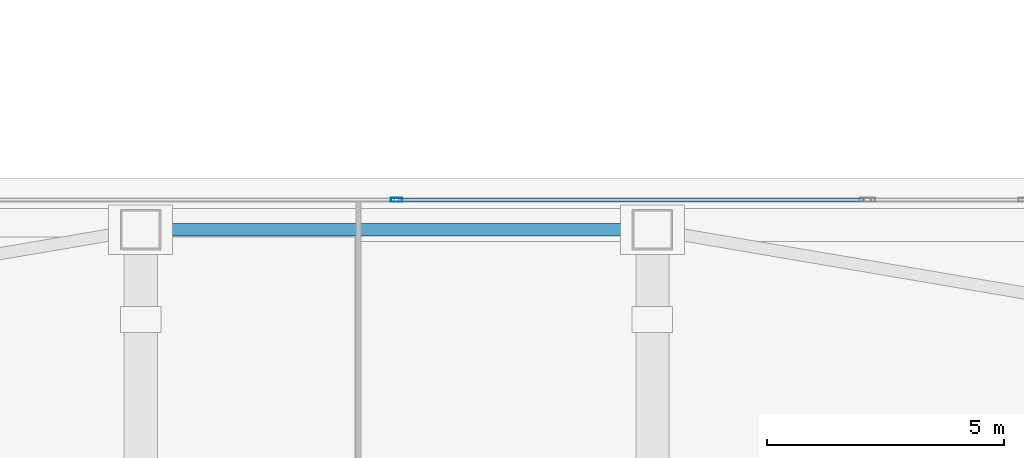
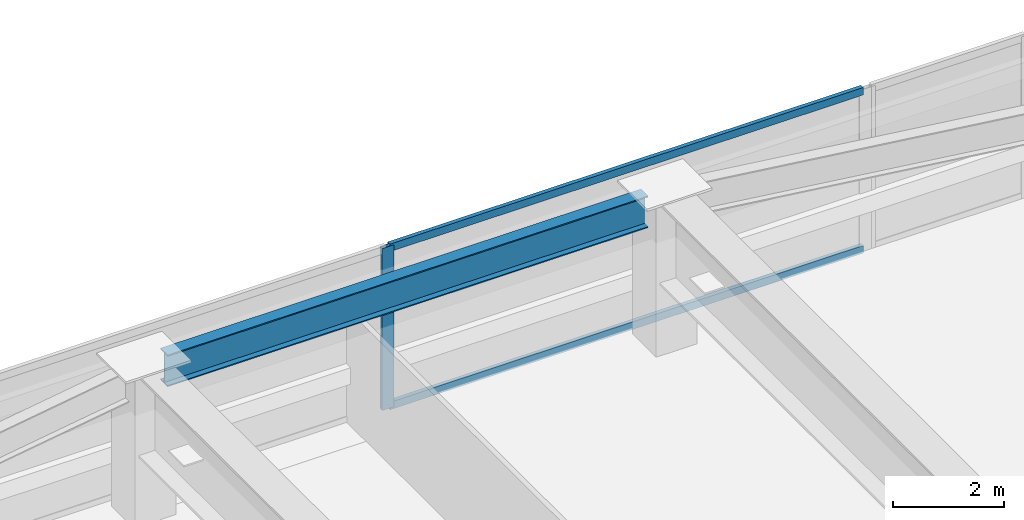
# One storey, part 16 of 48: 3 members, 1 beam, 1 element without a shape of its own.
"""IFC4 building model written with IfcOpenShell, lengths in metres."""

from ifc_helpers import new_model, si_unit, direction, frame, origin, origin_2d, place, context, subcontext, project, spatial, hollow_rectangle, i_section, extrude, material, material_profile, profile_set, type_object, element, aggregate, save


model = new_model("IFC4")

# Units and contexts
model_context = context("Model", 3, precision=1e-05, world=origin(), true_north=direction((0.0, 1.0)))
body_context = subcontext(model_context, "Body", "Model", "MODEL_VIEW")
ifc_project = project(units=[si_unit("LENGTHUNIT", "METRE"), si_unit("AREAUNIT", "SQUARE_METRE"), si_unit("VOLUMEUNIT", "CUBIC_METRE"), si_unit("PLANEANGLEUNIT", "RADIAN"), si_unit("MASSUNIT", "GRAM", prefix="KILO")], contexts=[model_context])

# Site, building, storey
site_placement = place(None, origin())
site = spatial("IfcSite", under=ifc_project, at=site_placement, CompositionType="ELEMENT")
building_placement = place(site_placement, origin())
building = spatial("IfcBuilding", under=site, at=building_placement, Name="Tashvorn Skyway Center", CompositionType="ELEMENT")
storey_placement = place(building_placement, frame((0.0, 0.0, 63.64990234375)))
storey = spatial("IfcBuildingStorey", under=building, at=storey_placement, Name="L16", CompositionType="ELEMENT", Elevation=63.64990234375)

# Beam
ifc_material_1 = material(Name="Steel ASTM A992 Grade 50", Category="steel")
ifc_material_profile_1 = material_profile(ifc_material_1, i_section(OverallWidth=0.256103515625, OverallDepth=0.693115234375, WebThickness=0.014404296875, FlangeThickness=0.023681640625, at=origin_2d()), Name="W27X114")
ifc_profile_set_1 = profile_set([ifc_material_profile_1], Name="Steel ASTM A992 Grade 50")
beam_type = type_object("IfcBeamType", Name="BM-SPANDREL-W27X114", PredefinedType="SPANDREL", material=ifc_profile_set_1)
beam_placement = place(storey_placement, frame((46.97998046875, 54.25, 3.003662109375), z_axis=(-1.0, 0.0, 0.0), x_axis=(0.0, -1.0, 0.0)))
element("IfcBeam", 1, at=beam_placement, inside=storey, type_object=beam_type, Name="Tower 1 L16 Spandrel Beam 08", PredefinedType="SPANDREL", context=body_context, shape_type="SweptSolid", body=[
    extrude(i_section(OverallWidth=0.256103515625, OverallDepth=0.693115234375, WebThickness=0.014404296875, FlangeThickness=0.023681640625, at=origin_2d()), origin(), (0.0, 0.0, 1.0), 9.9599609375),
])

# Curtain wall, members
ifc_material_2 = material(Name="Thermally broken bronze-anodized aluminium 6063-T6", Category="aluminium")
curtain_wall_type = type_object("IfcCurtainWallType", Name="CW-CW-Z1", PredefinedType="NOTDEFINED", material=ifc_material_2)
curtain_wall_placement = place(storey_placement, origin())
curtain_wall = element("IfcCurtainWall", 2, at=curtain_wall_placement, inside=storey, type_object=curtain_wall_type, Name="Tower 1 L16 North Unitised Curtain Wall Glazing Group 2", PredefinedType="NOTDEFINED")
ifc_material_profile_2 = material_profile(ifc_material_2, hollow_rectangle(XDim=0.0849609375, YDim=0.239990234375, WallThickness=0.0048828125, at=origin_2d()), Name="ALU-MULL-85x240")
ifc_profile_set_2 = profile_set([ifc_material_profile_2], Name="Thermally broken bronze-anodized aluminium 6063-T6")
member_type_1 = type_object("IfcMemberType", Name="CWM-CW-Z1", PredefinedType="MULLION", material=ifc_profile_set_2)
member_1_placement = place(storey_placement, frame((42.0, 54.8798828125, 0.0), z_axis=(0.0, 0.0, 1.0), x_axis=(0.0, 1.0, 0.0)))
member_1 = element("IfcMember", 3, at=member_1_placement, type_object=member_type_1, Name="CW-Z1 mullion 2", PredefinedType="MULLION", context=body_context, shape_type="SweptSolid", body=[
    extrude(hollow_rectangle(XDim=0.0849609375, YDim=0.239990234375, WallThickness=0.0048828125, at=origin_2d()), origin(), (0.0, 0.0, 1.0), 3.550048828125),
])
ifc_material_profile_3 = material_profile(ifc_material_2, hollow_rectangle(XDim=0.0849609375, YDim=0.1650390625, WallThickness=0.0048828125, at=origin_2d()), Name="ALU-TRAN-85x165")
ifc_profile_set_3 = profile_set([ifc_material_profile_3], Name="Thermally broken bronze-anodized aluminium 6063-T6")
member_type_2 = type_object("IfcMemberType", Name="CWT-CW-Z1", PredefinedType="USERDEFINED", material=ifc_profile_set_3)
member_2_placement = place(storey_placement, frame((42.04248046875, 54.8798828125, 0.04248046875), z_axis=(1.0, 0.0, 0.0), x_axis=(0.0, 1.0, 0.0)))
member_2 = element("IfcMember", 4, at=member_2_placement, type_object=member_type_2, Name="CW-Z1 transom 2.1", ObjectType="TRANSOM", PredefinedType="USERDEFINED", context=body_context, shape_type="SweptSolid", body=[
    extrude(hollow_rectangle(XDim=0.0849609375, YDim=0.1650390625, WallThickness=0.0048828125, at=origin_2d()), origin(), (0.0, 0.0, 1.0), 9.8125),
])
member_3_placement = place(storey_placement, frame((42.04248046875, 54.8798828125, 3.507568359375), z_axis=(1.0, 0.0, 0.0), x_axis=(0.0, 1.0, 0.0)))
member_3 = element("IfcMember", 5, at=member_3_placement, type_object=member_type_2, Name="CW-Z1 transom 2.2", ObjectType="TRANSOM", PredefinedType="USERDEFINED", context=body_context, shape_type="SweptSolid", body=[
    extrude(hollow_rectangle(XDim=0.0849609375, YDim=0.1650390625, WallThickness=0.0048828125, at=origin_2d()), origin(), (0.0, 0.0, 1.0), 9.8125),
])
aggregate(curtain_wall, [member_1, member_2, member_3])

save(model, "model.ifc")
